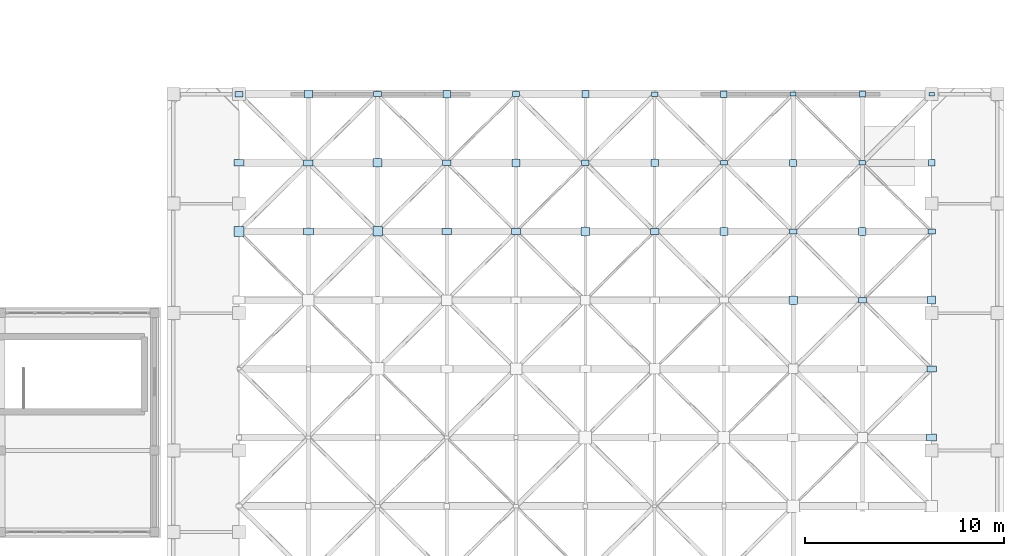
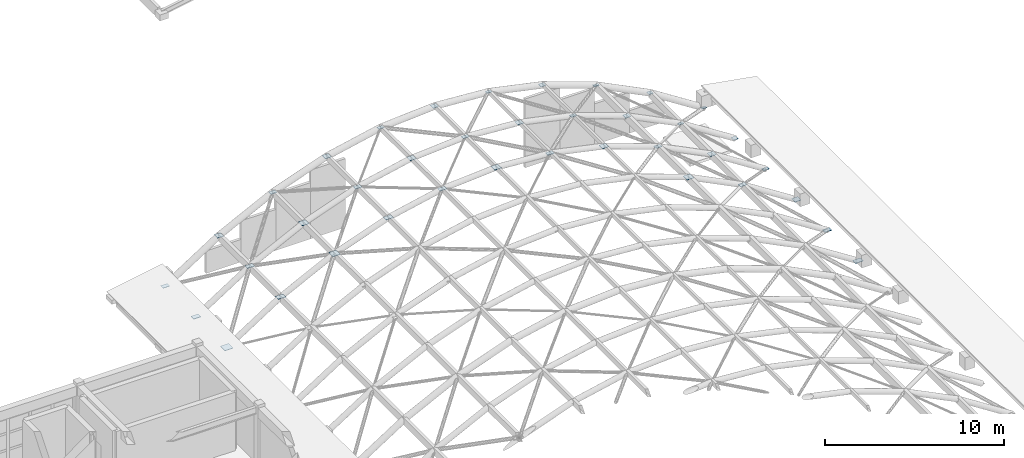
# One storey, part 45 of 52: 38 plates.
"""IFC4 building model written with IfcOpenShell, lengths in metres."""

from ifc_helpers import new_model, si_unit, direction, frame, origin, origin_2d, place, context, subcontext, project, spatial, rectangle, extrude, material, layer, layer_set, type_object, element, save


model = new_model("IFC4")

# Units and contexts
model_context = context("Model", 3, precision=1e-05, world=origin(), true_north=direction((0.0, 1.0)))
body_context = subcontext(model_context, "Body", "Model", "MODEL_VIEW")
ifc_project = project(units=[si_unit("LENGTHUNIT", "METRE"), si_unit("AREAUNIT", "SQUARE_METRE"), si_unit("VOLUMEUNIT", "CUBIC_METRE"), si_unit("PLANEANGLEUNIT", "RADIAN"), si_unit("MASSUNIT", "GRAM", prefix="KILO")], contexts=[model_context])

# Site, building, storey
site_placement = place(None, origin())
site = spatial("IfcSite", under=ifc_project, at=site_placement, CompositionType="ELEMENT")
building_placement = place(site_placement, origin())
building = spatial("IfcBuilding", under=site, at=building_placement, Name="Candilejo Ridge Gondola Terminal", CompositionType="ELEMENT")
storey_placement = place(building_placement, frame((0.0, 0.0, 18.60009765625)))
storey = spatial("IfcBuildingStorey", under=building, at=storey_placement, Name="L04", CompositionType="ELEMENT", Elevation=18.60009765625)

# Plates
ifc_material_1 = material(Name="Steel ASTM A572 Grade 50", Category="steel")
ifc_layer_1 = layer(ifc_material_1, 0.01611328125)
ifc_layer_set_1 = layer_set([ifc_layer_1], Name="STR-NODE-PLATE-270X180X16")
plate_type_1 = type_object("IfcPlateType", Name="STR-NODE-PLATE-270X180X16", PredefinedType="USERDEFINED", material=ifc_layer_set_1)
plate_1_placement = place(storey_placement, frame((172.0, 47.699951171875, -0.208251953125), z_axis=(0.0, 0.0, 1.0), x_axis=(1.0, 0.0, 0.0)))
element("IfcPlate", 1, at=plate_1_placement, inside=storey, type_object=plate_type_1, Name="Diagrid steel node cap plate 167", ObjectType="NODE PLATE", PredefinedType="USERDEFINED", context=body_context, shape_type="SweptSolid", body=[
    extrude(rectangle(XDim=0.27001953125, YDim=0.179931640625, at=origin_2d()), origin(), (0.0, 0.0, 1.0), 0.01611328125),
])
ifc_material_2 = material(Name="Steel ASTM A572 Grade 50", Category="steel")
ifc_layer_2 = layer(ifc_material_2, 0.01611328125)
ifc_layer_set_2 = layer_set([ifc_layer_2], Name="STR-NODE-PLATE-290X290X16")
plate_type_2 = type_object("IfcPlateType", Name="STR-NODE-PLATE-290X290X16", PredefinedType="USERDEFINED", material=ifc_layer_set_2)
plate_2_placement = place(storey_placement, frame((168.52001953125, 47.699951171875, 2.02392578125), z_axis=(0.0, 0.0, 1.0), x_axis=(1.0, 0.0, 0.0)))
element("IfcPlate", 2, at=plate_2_placement, inside=storey, type_object=plate_type_2, Name="Diagrid steel node cap plate 166", ObjectType="NODE PLATE", PredefinedType="USERDEFINED", context=body_context, shape_type="SweptSolid", body=[
    extrude(rectangle(XDim=0.2900390625, YDim=0.2900390625, at=origin_2d()), origin(), (0.0, 0.0, 1.0), 0.01611328125),
])
ifc_material_3 = material(Name="Steel ASTM A572 Grade 50", Category="steel")
ifc_layer_3 = layer(ifc_material_3, 0.01611328125)
ifc_layer_set_3 = layer_set([ifc_layer_3], Name="STR-NODE-PLATE-300X200X16")
plate_type_3 = type_object("IfcPlateType", Name="STR-NODE-PLATE-300X200X16", PredefinedType="USERDEFINED", material=ifc_layer_set_3)
plate_3_placement = place(storey_placement, frame((165.0400390625, 47.699951171875, 3.759765625), z_axis=(0.0, 0.0, 1.0), x_axis=(1.0, 0.0, 0.0)))
element("IfcPlate", 3, at=plate_3_placement, inside=storey, type_object=plate_type_3, Name="Diagrid steel node cap plate 165", ObjectType="NODE PLATE", PredefinedType="USERDEFINED", context=body_context, shape_type="SweptSolid", body=[
    extrude(rectangle(XDim=0.300048828125, YDim=0.199951171875, at=origin_2d()), origin(), (0.0, 0.0, 1.0), 0.01611328125),
])
ifc_material_4 = material(Name="Steel ASTM A572 Grade 50", Category="steel")
ifc_layer_4 = layer(ifc_material_4, 0.01806640625)
ifc_layer_set_4 = layer_set([ifc_layer_4], Name="STR-NODE-PLATE-320X320X18")
plate_type_4 = type_object("IfcPlateType", Name="STR-NODE-PLATE-320X320X18", PredefinedType="USERDEFINED", material=ifc_layer_set_4)
for number, where, z_axis, x_axis, name in (
    (4, (172.0, 44.25, -0.209228515625), (0.0, 0.0, 1.0), (1.0, 0.0, 0.0), "Diagrid steel node cap plate 156"),
    (5, (161.56005859375, 47.699951171875, 4.998779296875), (0.0, 0.0, 1.0), (1.0, 0.0, 0.0), "Diagrid steel node cap plate 164"),
):
    element("IfcPlate", number, at=place(storey_placement, frame(where, z_axis=z_axis, x_axis=x_axis)), inside=storey, type_object=plate_type_4, Name=name, ObjectType="NODE PLATE", PredefinedType="USERDEFINED", context=body_context, shape_type="SweptSolid", body=[
        extrude(rectangle(XDim=0.320068359375, YDim=0.320068359375, at=origin_2d()), origin(), (0.0, 0.0, 1.0), 0.01806640625),
    ])
ifc_material_5 = material(Name="Steel ASTM A572 Grade 50", Category="steel")
ifc_layer_5 = layer(ifc_material_5, 0.01806640625)
ifc_layer_set_5 = layer_set([ifc_layer_5], Name="STR-NODE-PLATE-330X220X18")
plate_type_5 = type_object("IfcPlateType", Name="STR-NODE-PLATE-330X220X18", PredefinedType="USERDEFINED", material=ifc_layer_set_5)
for number, where, z_axis, x_axis, name in (
    (6, (168.52001953125, 44.25, 2.02294921875), (0.0, 0.0, 1.0), (1.0, 0.0, 0.0), "Diagrid steel node cap plate 155"),
    (7, (158.080078125, 47.699951171875, 5.742919921875), (0.0, 0.0, 1.0), (1.0, 0.0, 0.0), "Diagrid steel node cap plate 163"),
):
    element("IfcPlate", number, at=place(storey_placement, frame(where, z_axis=z_axis, x_axis=x_axis)), inside=storey, type_object=plate_type_5, Name=name, ObjectType="NODE PLATE", PredefinedType="USERDEFINED", context=body_context, shape_type="SweptSolid", body=[
        extrude(rectangle(XDim=0.330078125, YDim=0.219970703125, at=origin_2d()), origin(), (0.0, 0.0, 1.0), 0.01806640625),
    ])
ifc_material_6 = material(Name="Steel ASTM A572 Grade 50", Category="steel")
ifc_layer_6 = layer(ifc_material_6, 0.01806640625)
ifc_layer_set_6 = layer_set([ifc_layer_6], Name="STR-NODE-PLATE-350X350X18")
plate_type_6 = type_object("IfcPlateType", Name="STR-NODE-PLATE-350X350X18", PredefinedType="USERDEFINED", material=ifc_layer_set_6)
for number, where, z_axis, x_axis, name in (
    (8, (165.0400390625, 44.25, 3.7587890625), (0.0, 0.0, 1.0), (1.0, 0.0, 0.0), "Diagrid steel node cap plate 154"),
    (9, (154.60009765625, 47.699951171875, 5.990966796875), (0.0, 0.0, 1.0), (1.0, 0.0, 0.0), "Diagrid steel node cap plate 162"),
):
    element("IfcPlate", number, at=place(storey_placement, frame(where, z_axis=z_axis, x_axis=x_axis)), inside=storey, type_object=plate_type_6, Name=name, ObjectType="NODE PLATE", PredefinedType="USERDEFINED", context=body_context, shape_type="SweptSolid", body=[
        extrude(rectangle(XDim=0.35009765625, YDim=0.35009765625, at=origin_2d()), origin(), (0.0, 0.0, 1.0), 0.01806640625),
    ])
ifc_material_7 = material(Name="Steel ASTM A572 Grade 50", Category="steel")
ifc_layer_7 = layer(ifc_material_7, 0.02001953125)
ifc_layer_set_7 = layer_set([ifc_layer_7], Name="STR-NODE-PLATE-360X240X20")
plate_type_7 = type_object("IfcPlateType", Name="STR-NODE-PLATE-360X240X20", PredefinedType="USERDEFINED", material=ifc_layer_set_7)
for number, where, z_axis, x_axis, name in (
    (10, (172.0, 40.800048828125, -0.210205078125), (0.0, 0.0, 1.0), (1.0, 0.0, 0.0), "Diagrid steel node cap plate 145"),
    (11, (161.56005859375, 44.25, 4.997802734375), (0.0, 0.0, 1.0), (1.0, 0.0, 0.0), "Diagrid steel node cap plate 153"),
    (12, (151.1201171875, 47.699951171875, 5.741943359375), (0.0, 0.0, 1.0), (1.0, 0.0, 0.0), "Diagrid steel node cap plate 161"),
):
    element("IfcPlate", number, at=place(storey_placement, frame(where, z_axis=z_axis, x_axis=x_axis)), inside=storey, type_object=plate_type_7, Name=name, ObjectType="NODE PLATE", PredefinedType="USERDEFINED", context=body_context, shape_type="SweptSolid", body=[
        extrude(rectangle(XDim=0.360107421875, YDim=0.239990234375, at=origin_2d()), origin(), (0.0, 0.0, 1.0), 0.02001953125),
    ])
ifc_material_8 = material(Name="Steel ASTM A572 Grade 50", Category="steel")
ifc_layer_8 = layer(ifc_material_8, 0.02001953125)
ifc_layer_set_8 = layer_set([ifc_layer_8], Name="STR-NODE-PLATE-380X380X20")
plate_type_8 = type_object("IfcPlateType", Name="STR-NODE-PLATE-380X380X20", PredefinedType="USERDEFINED", material=ifc_layer_set_8)
for number, where, z_axis, x_axis, name in (
    (13, (168.52001953125, 40.800048828125, 2.02197265625), (0.0, 0.0, 1.0), (1.0, 0.0, 0.0), "Diagrid steel node cap plate 144"),
    (14, (158.080078125, 44.25, 5.741943359375), (0.0, 0.0, 1.0), (1.0, 0.0, 0.0), "Diagrid steel node cap plate 152"),
    (15, (147.639892578125, 47.699951171875, 4.997802734375), (0.0, 0.0, 1.0), (1.0, 0.0, 0.0), "Diagrid steel node cap plate 160"),
):
    element("IfcPlate", number, at=place(storey_placement, frame(where, z_axis=z_axis, x_axis=x_axis)), inside=storey, type_object=plate_type_8, Name=name, ObjectType="NODE PLATE", PredefinedType="USERDEFINED", context=body_context, shape_type="SweptSolid", body=[
        extrude(rectangle(XDim=0.3798828125, YDim=0.3798828125, at=origin_2d()), origin(), (0.0, 0.0, 1.0), 0.02001953125),
    ])
ifc_material_9 = material(Name="Steel ASTM A572 Grade 50", Category="steel")
ifc_layer_9 = layer(ifc_material_9, 0.02001953125)
ifc_layer_set_9 = layer_set([ifc_layer_9], Name="STR-NODE-PLATE-390X260X20")
plate_type_9 = type_object("IfcPlateType", Name="STR-NODE-PLATE-390X260X20", PredefinedType="USERDEFINED", material=ifc_layer_set_9)
for number, where, z_axis, x_axis, name in (
    (16, (165.0400390625, 40.800048828125, 3.7578125), (0.0, 0.0, 1.0), (1.0, 0.0, 0.0), "Diagrid steel node cap plate 143"),
    (17, (154.60009765625, 44.25, 5.989990234375), (0.0, 0.0, 1.0), (1.0, 0.0, 0.0), "Diagrid steel node cap plate 151"),
    (18, (144.159912109375, 47.699951171875, 3.7578125), (0.0, 0.0, 1.0), (1.0, 0.0, 0.0), "Diagrid steel node cap plate 159"),
):
    element("IfcPlate", number, at=place(storey_placement, frame(where, z_axis=z_axis, x_axis=x_axis)), inside=storey, type_object=plate_type_9, Name=name, ObjectType="NODE PLATE", PredefinedType="USERDEFINED", context=body_context, shape_type="SweptSolid", body=[
        extrude(rectangle(XDim=0.389892578125, YDim=0.260009765625, at=origin_2d()), origin(), (0.0, 0.0, 1.0), 0.02001953125),
    ])
ifc_material_10 = material(Name="Steel ASTM A572 Grade 50", Category="steel")
ifc_layer_10 = layer(ifc_material_10, 0.02197265625)
ifc_layer_set_10 = layer_set([ifc_layer_10], Name="STR-NODE-PLATE-400X400X22")
plate_type_10 = type_object("IfcPlateType", Name="STR-NODE-PLATE-400X400X22", PredefinedType="USERDEFINED", material=ifc_layer_set_10)
for number, where, z_axis, x_axis, name in (
    (19, (172.0, 37.35009765625, -0.211181640625), (0.0, 0.0, 1.0), (1.0, 0.0, 0.0), "Diagrid steel node cap plate 134"),
    (20, (161.56005859375, 40.800048828125, 4.996826171875), (0.0, 0.0, 1.0), (1.0, 0.0, 0.0), "Diagrid steel node cap plate 142"),
    (21, (151.1201171875, 44.25, 5.740966796875), (0.0, 0.0, 1.0), (1.0, 0.0, 0.0), "Diagrid steel node cap plate 150"),
    (22, (140.679931640625, 47.699951171875, 2.02099609375), (0.0, 0.0, 1.0), (1.0, 0.0, 0.0), "Diagrid steel node cap plate 158"),
):
    element("IfcPlate", number, at=place(storey_placement, frame(where, z_axis=z_axis, x_axis=x_axis)), inside=storey, type_object=plate_type_10, Name=name, ObjectType="NODE PLATE", PredefinedType="USERDEFINED", context=body_context, shape_type="SweptSolid", body=[
        extrude(rectangle(XDim=0.39990234375, YDim=0.39990234375, at=origin_2d()), origin(), (0.0, 0.0, 1.0), 0.02197265625),
    ])
ifc_material_11 = material(Name="Steel ASTM A572 Grade 50", Category="steel")
ifc_layer_11 = layer(ifc_material_11, 0.02197265625)
ifc_layer_set_11 = layer_set([ifc_layer_11], Name="STR-NODE-PLATE-420X280X22")
plate_type_11 = type_object("IfcPlateType", Name="STR-NODE-PLATE-420X280X22", PredefinedType="USERDEFINED", material=ifc_layer_set_11)
for number, where, z_axis, x_axis, name in (
    (23, (168.52001953125, 37.35009765625, 2.02099609375), (0.0, 0.0, 1.0), (1.0, 0.0, 0.0), "Diagrid steel node cap plate 133"),
    (24, (158.080078125, 40.800048828125, 5.740966796875), (0.0, 0.0, 1.0), (1.0, 0.0, 0.0), "Diagrid steel node cap plate 141"),
    (25, (147.639892578125, 44.25, 4.996826171875), (0.0, 0.0, 1.0), (1.0, 0.0, 0.0), "Diagrid steel node cap plate 149"),
    (26, (137.199951171875, 47.699951171875, -0.211181640625), (0.0, 0.0, 1.0), (1.0, 0.0, 0.0), "Diagrid steel node cap plate 157"),
):
    element("IfcPlate", number, at=place(storey_placement, frame(where, z_axis=z_axis, x_axis=x_axis)), inside=storey, type_object=plate_type_11, Name=name, ObjectType="NODE PLATE", PredefinedType="USERDEFINED", context=body_context, shape_type="SweptSolid", body=[
        extrude(rectangle(XDim=0.419921875, YDim=0.280029296875, at=origin_2d()), origin(), (0.0, 0.0, 1.0), 0.02197265625),
    ])
ifc_material_12 = material(Name="Steel ASTM A572 Grade 50", Category="steel")
ifc_layer_12 = layer(ifc_material_12, 0.02392578125)
ifc_layer_set_12 = layer_set([ifc_layer_12], Name="STR-NODE-PLATE-440X440X24")
plate_type_12 = type_object("IfcPlateType", Name="STR-NODE-PLATE-440X440X24", PredefinedType="USERDEFINED", material=ifc_layer_set_12)
for number, where, z_axis, x_axis, name in (
    (27, (165.0400390625, 37.35009765625, 3.755859375), (0.0, 0.0, 1.0), (1.0, 0.0, 0.0), "Diagrid steel node cap plate 132"),
    (28, (154.60009765625, 40.800048828125, 5.988037109375), (0.0, 0.0, 1.0), (1.0, 0.0, 0.0), "Diagrid steel node cap plate 140"),
    (29, (144.159912109375, 44.25, 3.755859375), (0.0, 0.0, 1.0), (1.0, 0.0, 0.0), "Diagrid steel node cap plate 148"),
):
    element("IfcPlate", number, at=place(storey_placement, frame(where, z_axis=z_axis, x_axis=x_axis)), inside=storey, type_object=plate_type_12, Name=name, ObjectType="NODE PLATE", PredefinedType="USERDEFINED", context=body_context, shape_type="SweptSolid", body=[
        extrude(rectangle(XDim=0.43994140625, YDim=0.43994140625, at=origin_2d()), origin(), (0.0, 0.0, 1.0), 0.02392578125),
    ])
ifc_material_13 = material(Name="Steel ASTM A572 Grade 50", Category="steel")
ifc_layer_13 = layer(ifc_material_13, 0.02392578125)
ifc_layer_set_13 = layer_set([ifc_layer_13], Name="STR-NODE-PLATE-460X300X24")
plate_type_13 = type_object("IfcPlateType", Name="STR-NODE-PLATE-460X300X24", PredefinedType="USERDEFINED", material=ifc_layer_set_13)
for number, where, z_axis, x_axis, name in (
    (30, (172.0, 33.89990234375, -0.212158203125), (0.0, 0.0, 1.0), (1.0, 0.0, 0.0), "Diagrid steel node cap plate 123"),
    (31, (151.1201171875, 40.800048828125, 5.739990234375), (0.0, 0.0, 1.0), (1.0, 0.0, 0.0), "Diagrid steel node cap plate 139"),
    (32, (140.679931640625, 44.25, 2.02001953125), (0.0, 0.0, 1.0), (1.0, 0.0, 0.0), "Diagrid steel node cap plate 147"),
):
    element("IfcPlate", number, at=place(storey_placement, frame(where, z_axis=z_axis, x_axis=x_axis)), inside=storey, type_object=plate_type_13, Name=name, ObjectType="NODE PLATE", PredefinedType="USERDEFINED", context=body_context, shape_type="SweptSolid", body=[
        extrude(rectangle(XDim=0.4599609375, YDim=0.300048828125, at=origin_2d()), origin(), (0.0, 0.0, 1.0), 0.02392578125),
    ])
ifc_material_14 = material(Name="Steel ASTM A572 Grade 50", Category="steel")
ifc_layer_14 = layer(ifc_material_14, 0.02490234375)
ifc_layer_set_14 = layer_set([ifc_layer_14], Name="STR-NODE-PLATE-480X320X25")
plate_type_14 = type_object("IfcPlateType", Name="STR-NODE-PLATE-480X320X25", PredefinedType="USERDEFINED", material=ifc_layer_set_14)
for number, where, z_axis, x_axis, name in (
    (33, (147.639892578125, 40.800048828125, 4.995361328125), (0.0, 0.0, 1.0), (1.0, 0.0, 0.0), "Diagrid steel node cap plate 138"),
    (34, (137.199951171875, 44.25, -0.212646484375), (0.0, 0.0, 1.0), (1.0, 0.0, 0.0), "Diagrid steel node cap plate 146"),
):
    element("IfcPlate", number, at=place(storey_placement, frame(where, z_axis=z_axis, x_axis=x_axis)), inside=storey, type_object=plate_type_14, Name=name, ObjectType="NODE PLATE", PredefinedType="USERDEFINED", context=body_context, shape_type="SweptSolid", body=[
        extrude(rectangle(XDim=0.47998046875, YDim=0.320068359375, at=origin_2d()), origin(), (0.0, 0.0, 1.0), 0.02490234375),
    ])
ifc_material_15 = material(Name="Steel ASTM A572 Grade 50", Category="steel")
ifc_layer_15 = layer(ifc_material_15, 0.02587890625)
ifc_layer_set_15 = layer_set([ifc_layer_15], Name="STR-NODE-PLATE-480X480X26")
plate_type_15 = type_object("IfcPlateType", Name="STR-NODE-PLATE-480X480X26", PredefinedType="USERDEFINED", material=ifc_layer_set_15)
plate_4_placement = place(storey_placement, frame((144.159912109375, 40.800048828125, 3.7548828125), z_axis=(0.0, 0.0, 1.0), x_axis=(1.0, 0.0, 0.0)))
element("IfcPlate", 35, at=plate_4_placement, inside=storey, type_object=plate_type_15, Name="Diagrid steel node cap plate 137", ObjectType="NODE PLATE", PredefinedType="USERDEFINED", context=body_context, shape_type="SweptSolid", body=[
    extrude(rectangle(XDim=0.47998046875, YDim=0.47998046875, at=origin_2d()), origin(), (0.0, 0.0, 1.0), 0.02587890625),
])
ifc_material_16 = material(Name="Steel ASTM A572 Grade 50", Category="steel")
ifc_layer_16 = layer(ifc_material_16, 0.02587890625)
ifc_layer_set_16 = layer_set([ifc_layer_16], Name="STR-NODE-PLATE-500X340X26")
plate_type_16 = type_object("IfcPlateType", Name="STR-NODE-PLATE-500X340X26", PredefinedType="USERDEFINED", material=ifc_layer_set_16)
for number, where, z_axis, x_axis, name in (
    (36, (172.0, 30.449951171875, -0.213134765625), (0.0, 0.0, 1.0), (1.0, 0.0, 0.0), "Diagrid steel node cap plate 112"),
    (37, (140.679931640625, 40.800048828125, 2.01904296875), (0.0, 0.0, 1.0), (1.0, 0.0, 0.0), "Diagrid steel node cap plate 136"),
):
    element("IfcPlate", number, at=place(storey_placement, frame(where, z_axis=z_axis, x_axis=x_axis)), inside=storey, type_object=plate_type_16, Name=name, ObjectType="NODE PLATE", PredefinedType="USERDEFINED", context=body_context, shape_type="SweptSolid", body=[
        extrude(rectangle(XDim=0.5, YDim=0.340087890625, at=origin_2d()), origin(), (0.0, 0.0, 1.0), 0.02587890625),
    ])
ifc_material_17 = material(Name="Steel ASTM A572 Grade 50", Category="steel")
ifc_layer_17 = layer(ifc_material_17, 0.028076171875)
ifc_layer_set_17 = layer_set([ifc_layer_17], Name="STR-NODE-PLATE-520X520X28")
plate_type_17 = type_object("IfcPlateType", Name="STR-NODE-PLATE-520X520X28", PredefinedType="USERDEFINED", material=ifc_layer_set_17)
plate_5_placement = place(storey_placement, frame((137.199951171875, 40.800048828125, -0.21435546875), z_axis=(0.0, 0.0, 1.0), x_axis=(1.0, 0.0, 0.0)))
element("IfcPlate", 38, at=plate_5_placement, inside=storey, type_object=plate_type_17, Name="Diagrid steel node cap plate 135", ObjectType="NODE PLATE", PredefinedType="USERDEFINED", context=body_context, shape_type="SweptSolid", body=[
    extrude(rectangle(XDim=0.52001953125, YDim=0.52001953125, at=origin_2d()), origin(), (0.0, 0.0, 1.0), 0.028076171875),
])

save(model, "model.ifc")
